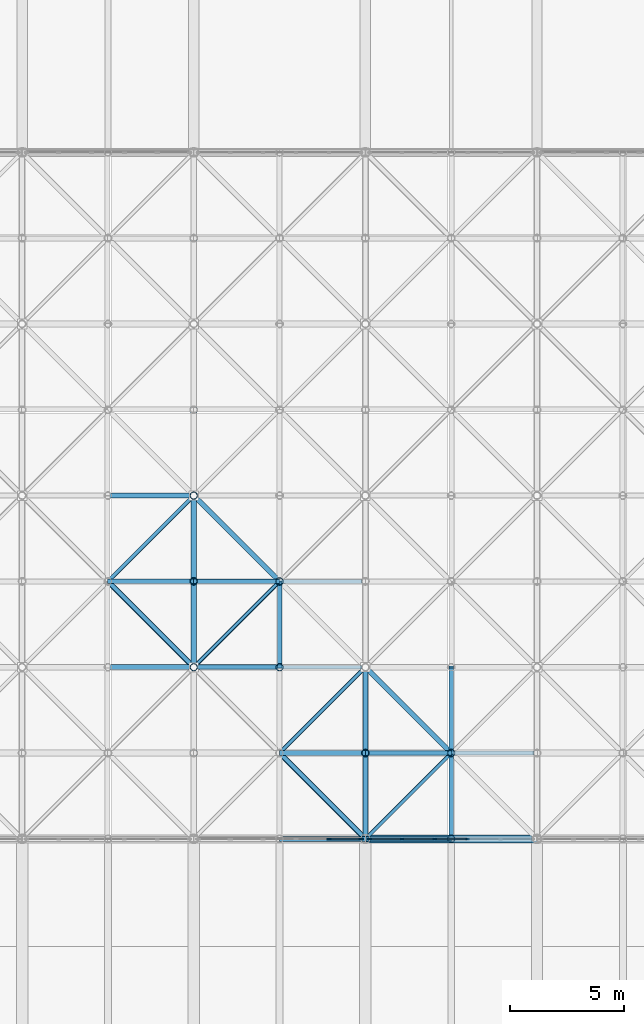
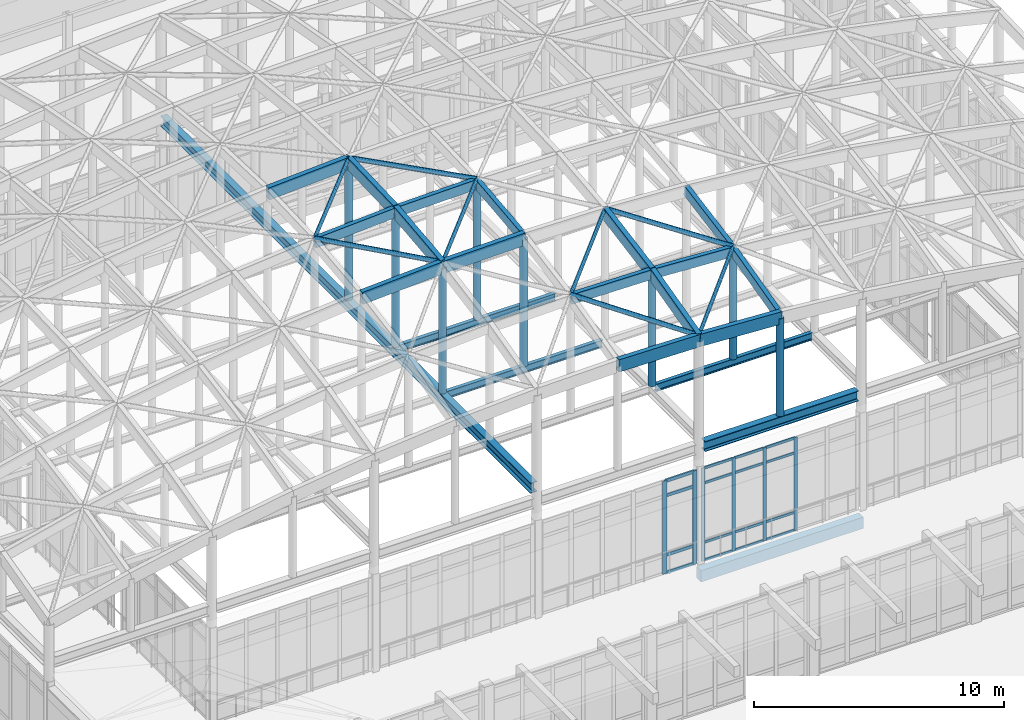
# One storey, part 35 of 131: 54 members, 6 beams, 2 elements without a shape of their own.
"""IFC4 building model written with IfcOpenShell, lengths in metres."""

from ifc_helpers import new_model, si_unit, direction, frame, origin, origin_2d, place, context, subcontext, project, spatial, rectangle, hollow_circle, i_section, extrude, material, layer, layer_set, material_profile, profile_set, type_object, element, aggregate, save


model = new_model("IFC4")

# Units and contexts
model_context = context("Model", 3, precision=1e-05, world=origin(), true_north=direction((0.0, 1.0)))
body_context = subcontext(model_context, "Body", "Model", "MODEL_VIEW")
ifc_project = project(units=[si_unit("LENGTHUNIT", "METRE"), si_unit("AREAUNIT", "SQUARE_METRE"), si_unit("VOLUMEUNIT", "CUBIC_METRE"), si_unit("PLANEANGLEUNIT", "RADIAN"), si_unit("MASSUNIT", "GRAM", prefix="KILO")], contexts=[model_context])

# Site, building, storey
site_placement = place(None, origin())
site = spatial("IfcSite", under=ifc_project, at=site_placement, CompositionType="ELEMENT")
building_placement = place(site_placement, origin())
building = spatial("IfcBuilding", under=site, at=building_placement, Name="Dalvernix Boulevard General Hospital", CompositionType="ELEMENT")
storey_placement = place(building_placement, frame((0.0, 0.0, 9.300048828125)))
storey = spatial("IfcBuildingStorey", under=building, at=storey_placement, Name="L02", CompositionType="ELEMENT", Elevation=9.300048828125)

# Beams
ifc_material_1 = material(Name="Steel S355", Category="steel")
ifc_material_profile_1 = material_profile(ifc_material_1, i_section(OverallWidth=0.300048828125, OverallDepth=0.5, WebThickness=0.014404296875, FlangeThickness=0.028076171875, FilletRadius=0.027099609375, at=origin_2d()), Name="HEB 500")
ifc_profile_set_1 = profile_set([ifc_material_profile_1], Name="Steel S355")
beam_type_1 = type_object("IfcBeamType", Name="BM-RB-02", PredefinedType="BEAM", material=ifc_profile_set_1)
beam_1_placement = place(storey_placement, frame((90.2099609375, 31.5, 5.64990234375), z_axis=(1.0, 0.0, 0.0), x_axis=(0.0, 1.0, 0.0)))
element("IfcBeam", 1, at=beam_1_placement, inside=storey, type_object=beam_type_1, Name="Gridshell Ring Beam S bay 5", PredefinedType="BEAM", context=body_context, shape_type="SweptSolid", body=[
    extrude(i_section(OverallWidth=0.300048828125, OverallDepth=0.5, WebThickness=0.014404296875, FlangeThickness=0.028076171875, FilletRadius=0.027099609375, at=origin_2d()), origin(), (0.0, 0.0, 1.0), 7.080078125),
])
beam_2_placement = place(storey_placement, frame((82.5, 31.7099609375, 6.14990234375), z_axis=(0.0, 1.0, 0.0), x_axis=(-1.0, 0.0, 0.0)))
element("IfcBeam", 2, at=beam_2_placement, inside=storey, type_object=beam_type_1, Name="ROOF TRUSS Gridshell tie beam 6", PredefinedType="BEAM", context=body_context, shape_type="SweptSolid", body=[
    extrude(i_section(OverallWidth=0.300048828125, OverallDepth=0.5, WebThickness=0.014404296875, FlangeThickness=0.028076171875, FilletRadius=0.027099609375, at=origin_2d()), origin(), (0.0, 0.0, 1.0), 29.580078125),
])
ifc_material_profile_2 = material_profile(ifc_material_1, i_section(OverallWidth=0.169921875, OverallDepth=0.360107421875, WebThickness=0.008056640625, FlangeThickness=0.0126953125, FilletRadius=0.01806640625, at=origin_2d()), Name="IPE 360")
ifc_profile_set_2 = profile_set([ifc_material_profile_2], Name="Steel S355")
beam_type_2 = type_object("IfcBeamType", Name="BM-RB-08", PredefinedType="BEAM", material=ifc_profile_set_2)
for number, where, z_axis, x_axis, name in (
    (3, (90.14208984375, 35.25, 6.219970703125), (1.0, 0.0, 0.0), (0.0, 1.0, 0.0), "ROOF TRUSS Gridshell cross tie 8-1"),
    (4, (82.64208984375, 39.0, 6.219970703125), (1.0, 0.0, 0.0), (0.0, 1.0, 0.0), "ROOF TRUSS Gridshell cross tie 6-2"),
    (5, (82.64208984375, 42.75, 6.219970703125), (1.0, 0.0, 0.0), (0.0, 1.0, 0.0), "ROOF TRUSS Gridshell cross tie 6-3"),
):
    element("IfcBeam", number, at=place(storey_placement, frame(where, z_axis=z_axis, x_axis=x_axis)), inside=storey, type_object=beam_type_2, Name=name, PredefinedType="BEAM", context=body_context, shape_type="SweptSolid", body=[
        extrude(i_section(OverallWidth=0.169921875, OverallDepth=0.360107421875, WebThickness=0.008056640625, FlangeThickness=0.0126953125, FilletRadius=0.01806640625, at=origin_2d()), origin(), (0.0, 0.0, 1.0), 7.2158203125),
    ])
ifc_material_2 = material(Name="Concrete C35/45", Category="concrete")
ifc_material_profile_3 = material_profile(ifc_material_2, rectangle(XDim=0.35009765625, YDim=0.550048828125, at=origin_2d()), Name="RCB 350x550")
ifc_profile_set_3 = profile_set([ifc_material_profile_3], Name="Concrete C35/45")
beam_type_3 = type_object("IfcBeamType", Name="BM-SB-01-E", PredefinedType="SPANDREL", material=ifc_profile_set_3)
beam_3_placement = place(storey_placement, frame((90.0, 31.5, -0.594970703125), z_axis=(1.0, 0.0, 0.0), x_axis=(0.0, 1.0, 0.0)))
element("IfcBeam", 6, at=beam_3_placement, inside=storey, type_object=beam_type_3, Name="L02 E-W girder E:13-14", PredefinedType="SPANDREL", context=body_context, shape_type="SweptSolid", body=[
    extrude(rectangle(XDim=0.35009765625, YDim=0.550048828125, at=origin_2d()), origin(), (0.0, 0.0, 1.0), 7.5),
])

# Curtain wall, members
ifc_material_3 = material(Name="Thermally broken aluminium and solar-control glass curtain wall", Category="aluminium")
ifc_layer_1 = layer(ifc_material_3, 0.159912109375)
ifc_layer_set_1 = layer_set([ifc_layer_1], Name="Thermally broken aluminium and solar-control glass curtain wall (CW-CW-A-72x46)")
curtain_wall_type_1 = type_object("IfcCurtainWallType", Name="CW-CW-A-72x46", PredefinedType="USERDEFINED", material=ifc_layer_set_1)
curtain_wall_1_placement = place(storey_placement, origin())
curtain_wall_1 = element("IfcCurtainWall", 7, at=curtain_wall_1_placement, inside=storey, type_object=curtain_wall_type_1, Name="L02 curtain wall CW-A-72x46 12-4", ObjectType="GLAZED FACADE", PredefinedType="USERDEFINED")
ifc_material_4 = material(Name="Aluminium EN AW-6060", Category="aluminium")
ifc_material_profile_4 = material_profile(ifc_material_4, rectangle(XDim=0.06005859375, YDim=0.159912109375, at=origin_2d()), Name="ALU MULL 60x160")
ifc_profile_set_4 = profile_set([ifc_material_profile_4], Name="Aluminium EN AW-6060")
member_type_1 = type_object("IfcMemberType", Name="MEM-CW-M1", PredefinedType="MULLION", material=ifc_profile_set_4)
member_1_placement = place(storey_placement, frame((90.18994140625, 31.5, 0.0), z_axis=(0.0, 0.0, 1.0), x_axis=(0.0, 1.0, 0.0)))
member_1 = element("IfcMember", 8, at=member_1_placement, type_object=member_type_1, Name="CW-A-72x46 mullion 1", PredefinedType="MULLION", context=body_context, shape_type="SweptSolid", body=[
    extrude(rectangle(XDim=0.06005859375, YDim=0.159912109375, at=origin_2d()), origin(), (0.0, 0.0, 1.0), 4.550048828125),
])
member_2_placement = place(storey_placement, frame((91.595947265625, 31.5, 0.0), z_axis=(0.0, 0.0, 1.0), x_axis=(0.0, 1.0, 0.0)))
member_2 = element("IfcMember", 9, at=member_2_placement, type_object=member_type_1, Name="CW-A-72x46 mullion 2", PredefinedType="MULLION", context=body_context, shape_type="SweptSolid", body=[
    extrude(rectangle(XDim=0.06005859375, YDim=0.159912109375, at=origin_2d()), origin(), (0.0, 0.0, 1.0), 4.550048828125),
])
member_3_placement = place(storey_placement, frame((93.031982421875, 31.5, 0.0), z_axis=(0.0, 0.0, 1.0), x_axis=(0.0, 1.0, 0.0)))
member_3 = element("IfcMember", 10, at=member_3_placement, type_object=member_type_1, Name="CW-A-72x46 mullion 3", PredefinedType="MULLION", context=body_context, shape_type="SweptSolid", body=[
    extrude(rectangle(XDim=0.06005859375, YDim=0.159912109375, at=origin_2d()), origin(), (0.0, 0.0, 1.0), 4.550048828125),
])
member_4_placement = place(storey_placement, frame((94.468017578125, 31.5, 0.0), z_axis=(0.0, 0.0, 1.0), x_axis=(0.0, 1.0, 0.0)))
member_4 = element("IfcMember", 11, at=member_4_placement, type_object=member_type_1, Name="CW-A-72x46 mullion 4", PredefinedType="MULLION", context=body_context, shape_type="SweptSolid", body=[
    extrude(rectangle(XDim=0.06005859375, YDim=0.159912109375, at=origin_2d()), origin(), (0.0, 0.0, 1.0), 4.550048828125),
])

ifc_layer_2 = layer(ifc_material_3, 0.199951171875)
ifc_layer_set_2 = layer_set([ifc_layer_2], Name="Thermally broken aluminium and solar-control glass curtain wall (CW-CW-C-72x46)")
curtain_wall_type_2 = type_object("IfcCurtainWallType", Name="CW-CW-C-72x46", PredefinedType="USERDEFINED", material=ifc_layer_set_2)
curtain_wall_2_placement = place(storey_placement, origin())
curtain_wall_2 = element("IfcCurtainWall", 12, at=curtain_wall_2_placement, inside=storey, type_object=curtain_wall_type_2, Name="L02 curtain wall CW-C-72x46 11-4", ObjectType="GLAZED FACADE", PredefinedType="USERDEFINED")
ifc_material_profile_5 = material_profile(ifc_material_4, rectangle(XDim=0.070068359375, YDim=0.199951171875, at=origin_2d()), Name="ALU MULL 70x200")
ifc_profile_set_5 = profile_set([ifc_material_profile_5], Name="Aluminium EN AW-6060")
member_type_2 = type_object("IfcMemberType", Name="MEM-CW-M3", PredefinedType="MULLION", material=ifc_profile_set_5)
member_5_placement = place(storey_placement, frame((88.404052734375, 31.5, 0.0), z_axis=(0.0, 0.0, 1.0), x_axis=(0.0, 1.0, 0.0)))
member_5 = element("IfcMember", 13, at=member_5_placement, type_object=member_type_2, Name="CW-C-72x46 mullion 5", PredefinedType="MULLION", context=body_context, shape_type="SweptSolid", body=[
    extrude(rectangle(XDim=0.070068359375, YDim=0.199951171875, at=origin_2d()), origin(), (0.0, 0.0, 1.0), 4.550048828125),
])
member_6_placement = place(storey_placement, frame((89.804931640625, 31.5, 0.0), z_axis=(0.0, 0.0, 1.0), x_axis=(0.0, 1.0, 0.0)))
member_6 = element("IfcMember", 14, at=member_6_placement, type_object=member_type_2, Name="CW-C-72x46 mullion 6", PredefinedType="MULLION", context=body_context, shape_type="SweptSolid", body=[
    extrude(rectangle(XDim=0.070068359375, YDim=0.199951171875, at=origin_2d()), origin(), (0.0, 0.0, 1.0), 4.550048828125),
])

# Member
ifc_material_profile_6 = material_profile(ifc_material_4, rectangle(XDim=0.06005859375, YDim=0.1201171875, at=origin_2d()), Name="ALU TRAN 60x120")
ifc_profile_set_6 = profile_set([ifc_material_profile_6], Name="Aluminium EN AW-6060")
member_type_3 = type_object("IfcMemberType", Name="MEM-CW-T1", PredefinedType="USERDEFINED", material=ifc_profile_set_6)
member_7_placement = place(storey_placement, frame((90.219970703125, 31.5, 0.030029296875), z_axis=(1.0, 0.0, 0.0), x_axis=(0.0, 1.0, 0.0)))
member_7 = element("IfcMember", 15, at=member_7_placement, type_object=member_type_3, Name="CW-A-72x46 transom 1.1", ObjectType="TRANSOM", PredefinedType="USERDEFINED", context=body_context, shape_type="SweptSolid", body=[
    extrude(rectangle(XDim=0.06005859375, YDim=0.1201171875, at=origin_2d()), origin(), (0.0, 0.0, 1.0), 1.345947265625),
])

member_8_placement = place(storey_placement, frame((90.219970703125, 31.5, 0.89990234375), z_axis=(1.0, 0.0, 0.0), x_axis=(0.0, 1.0, 0.0)))
member_8 = element("IfcMember", 16, at=member_8_placement, type_object=member_type_3, Name="CW-A-72x46 transom 1.2", ObjectType="TRANSOM", PredefinedType="USERDEFINED", context=body_context, shape_type="SweptSolid", body=[
    extrude(rectangle(XDim=0.06005859375, YDim=0.1201171875, at=origin_2d()), origin(), (0.0, 0.0, 1.0), 1.345947265625),
])

member_9_placement = place(storey_placement, frame((90.219970703125, 31.5, 3.800048828125), z_axis=(1.0, 0.0, 0.0), x_axis=(0.0, 1.0, 0.0)))
member_9 = element("IfcMember", 17, at=member_9_placement, type_object=member_type_3, Name="CW-A-72x46 transom 1.3", ObjectType="TRANSOM", PredefinedType="USERDEFINED", context=body_context, shape_type="SweptSolid", body=[
    extrude(rectangle(XDim=0.06005859375, YDim=0.1201171875, at=origin_2d()), origin(), (0.0, 0.0, 1.0), 1.345947265625),
])

member_10_placement = place(storey_placement, frame((90.219970703125, 31.5, 4.52001953125), z_axis=(1.0, 0.0, 0.0), x_axis=(0.0, 1.0, 0.0)))
member_10 = element("IfcMember", 18, at=member_10_placement, type_object=member_type_3, Name="CW-A-72x46 transom 1.4", ObjectType="TRANSOM", PredefinedType="USERDEFINED", context=body_context, shape_type="SweptSolid", body=[
    extrude(rectangle(XDim=0.06005859375, YDim=0.1201171875, at=origin_2d()), origin(), (0.0, 0.0, 1.0), 1.345947265625),
])

member_11_placement = place(storey_placement, frame((91.6259765625, 31.5, 0.030029296875), z_axis=(1.0, 0.0, 0.0), x_axis=(0.0, 1.0, 0.0)))
member_11 = element("IfcMember", 19, at=member_11_placement, type_object=member_type_3, Name="CW-A-72x46 transom 2.1", ObjectType="TRANSOM", PredefinedType="USERDEFINED", context=body_context, shape_type="SweptSolid", body=[
    extrude(rectangle(XDim=0.06005859375, YDim=0.1201171875, at=origin_2d()), origin(), (0.0, 0.0, 1.0), 1.3759765625),
])

member_12_placement = place(storey_placement, frame((91.6259765625, 31.5, 0.89990234375), z_axis=(1.0, 0.0, 0.0), x_axis=(0.0, 1.0, 0.0)))
member_12 = element("IfcMember", 20, at=member_12_placement, type_object=member_type_3, Name="CW-A-72x46 transom 2.2", ObjectType="TRANSOM", PredefinedType="USERDEFINED", context=body_context, shape_type="SweptSolid", body=[
    extrude(rectangle(XDim=0.06005859375, YDim=0.1201171875, at=origin_2d()), origin(), (0.0, 0.0, 1.0), 1.3759765625),
])

member_13_placement = place(storey_placement, frame((91.6259765625, 31.5, 3.800048828125), z_axis=(1.0, 0.0, 0.0), x_axis=(0.0, 1.0, 0.0)))
member_13 = element("IfcMember", 21, at=member_13_placement, type_object=member_type_3, Name="CW-A-72x46 transom 2.3", ObjectType="TRANSOM", PredefinedType="USERDEFINED", context=body_context, shape_type="SweptSolid", body=[
    extrude(rectangle(XDim=0.06005859375, YDim=0.1201171875, at=origin_2d()), origin(), (0.0, 0.0, 1.0), 1.3759765625),
])

member_14_placement = place(storey_placement, frame((91.6259765625, 31.5, 4.52001953125), z_axis=(1.0, 0.0, 0.0), x_axis=(0.0, 1.0, 0.0)))
member_14 = element("IfcMember", 22, at=member_14_placement, type_object=member_type_3, Name="CW-A-72x46 transom 2.4", ObjectType="TRANSOM", PredefinedType="USERDEFINED", context=body_context, shape_type="SweptSolid", body=[
    extrude(rectangle(XDim=0.06005859375, YDim=0.1201171875, at=origin_2d()), origin(), (0.0, 0.0, 1.0), 1.3759765625),
])

member_15_placement = place(storey_placement, frame((93.06201171875, 31.5, 0.030029296875), z_axis=(1.0, 0.0, 0.0), x_axis=(0.0, 1.0, 0.0)))
member_15 = element("IfcMember", 23, at=member_15_placement, type_object=member_type_3, Name="CW-A-72x46 transom 3.1", ObjectType="TRANSOM", PredefinedType="USERDEFINED", context=body_context, shape_type="SweptSolid", body=[
    extrude(rectangle(XDim=0.06005859375, YDim=0.1201171875, at=origin_2d()), origin(), (0.0, 0.0, 1.0), 1.3759765625),
])

member_16_placement = place(storey_placement, frame((93.06201171875, 31.5, 0.89990234375), z_axis=(1.0, 0.0, 0.0), x_axis=(0.0, 1.0, 0.0)))
member_16 = element("IfcMember", 24, at=member_16_placement, type_object=member_type_3, Name="CW-A-72x46 transom 3.2", ObjectType="TRANSOM", PredefinedType="USERDEFINED", context=body_context, shape_type="SweptSolid", body=[
    extrude(rectangle(XDim=0.06005859375, YDim=0.1201171875, at=origin_2d()), origin(), (0.0, 0.0, 1.0), 1.3759765625),
])

member_17_placement = place(storey_placement, frame((93.06201171875, 31.5, 3.800048828125), z_axis=(1.0, 0.0, 0.0), x_axis=(0.0, 1.0, 0.0)))
member_17 = element("IfcMember", 25, at=member_17_placement, type_object=member_type_3, Name="CW-A-72x46 transom 3.3", ObjectType="TRANSOM", PredefinedType="USERDEFINED", context=body_context, shape_type="SweptSolid", body=[
    extrude(rectangle(XDim=0.06005859375, YDim=0.1201171875, at=origin_2d()), origin(), (0.0, 0.0, 1.0), 1.3759765625),
])

member_18_placement = place(storey_placement, frame((93.06201171875, 31.5, 4.52001953125), z_axis=(1.0, 0.0, 0.0), x_axis=(0.0, 1.0, 0.0)))
member_18 = element("IfcMember", 26, at=member_18_placement, type_object=member_type_3, Name="CW-A-72x46 transom 3.4", ObjectType="TRANSOM", PredefinedType="USERDEFINED", context=body_context, shape_type="SweptSolid", body=[
    extrude(rectangle(XDim=0.06005859375, YDim=0.1201171875, at=origin_2d()), origin(), (0.0, 0.0, 1.0), 1.3759765625),
])

aggregate(curtain_wall_1, [member_1, member_2, member_3, member_4, member_7, member_8, member_9, member_10, member_11, member_12, member_13, member_14, member_15, member_16, member_17, member_18])

ifc_material_profile_7 = material_profile(ifc_material_4, rectangle(XDim=0.070068359375, YDim=0.14990234375, at=origin_2d()), Name="ALU TRAN 70x150")
ifc_profile_set_7 = profile_set([ifc_material_profile_7], Name="Aluminium EN AW-6060")
member_type_4 = type_object("IfcMemberType", Name="MEM-CW-T3", PredefinedType="USERDEFINED", material=ifc_profile_set_7)
member_19_placement = place(storey_placement, frame((88.43896484375, 31.5, 0.034912109375), z_axis=(1.0, 0.0, 0.0), x_axis=(0.0, 1.0, 0.0)))
member_19 = element("IfcMember", 27, at=member_19_placement, type_object=member_type_4, Name="CW-C-72x46 transom 5.1", ObjectType="TRANSOM", PredefinedType="USERDEFINED", context=body_context, shape_type="SweptSolid", body=[
    extrude(rectangle(XDim=0.070068359375, YDim=0.14990234375, at=origin_2d()), origin(), (0.0, 0.0, 1.0), 1.3310546875),
])

member_20_placement = place(storey_placement, frame((88.43896484375, 31.5, 0.89990234375), z_axis=(1.0, 0.0, 0.0), x_axis=(0.0, 1.0, 0.0)))
member_20 = element("IfcMember", 28, at=member_20_placement, type_object=member_type_4, Name="CW-C-72x46 transom 5.2", ObjectType="TRANSOM", PredefinedType="USERDEFINED", context=body_context, shape_type="SweptSolid", body=[
    extrude(rectangle(XDim=0.070068359375, YDim=0.14990234375, at=origin_2d()), origin(), (0.0, 0.0, 1.0), 1.3310546875),
])

member_21_placement = place(storey_placement, frame((88.43896484375, 31.5, 3.800048828125), z_axis=(1.0, 0.0, 0.0), x_axis=(0.0, 1.0, 0.0)))
member_21 = element("IfcMember", 29, at=member_21_placement, type_object=member_type_4, Name="CW-C-72x46 transom 5.3", ObjectType="TRANSOM", PredefinedType="USERDEFINED", context=body_context, shape_type="SweptSolid", body=[
    extrude(rectangle(XDim=0.070068359375, YDim=0.14990234375, at=origin_2d()), origin(), (0.0, 0.0, 1.0), 1.3310546875),
])

member_22_placement = place(storey_placement, frame((88.43896484375, 31.5, 4.514892578125), z_axis=(1.0, 0.0, 0.0), x_axis=(0.0, 1.0, 0.0)))
member_22 = element("IfcMember", 30, at=member_22_placement, type_object=member_type_4, Name="CW-C-72x46 transom 5.4", ObjectType="TRANSOM", PredefinedType="USERDEFINED", context=body_context, shape_type="SweptSolid", body=[
    extrude(rectangle(XDim=0.070068359375, YDim=0.14990234375, at=origin_2d()), origin(), (0.0, 0.0, 1.0), 1.3310546875),
])

aggregate(curtain_wall_2, [member_5, member_6, member_19, member_20, member_21, member_22])

# Members
ifc_material_5 = material(Name="Glulam GL28h", Category="wood")
ifc_material_profile_8 = material_profile(ifc_material_5, rectangle(XDim=0.219970703125, YDim=0.60009765625, at=origin_2d()), Name="GL28h 220x600")
ifc_profile_set_8 = profile_set([ifc_material_profile_8], Name="Glulam GL28h")
member_type_5 = type_object("IfcMemberType", Name="MEM-GS-C1", PredefinedType="CHORD", material=ifc_profile_set_8)
member_23_placement = place(storey_placement, frame((86.25, 31.5, 10.949951171875), z_axis=(0.999829111468, 0.0, -0.018486423676), x_axis=(0.0, 1.0, 0.0)))
element("IfcMember", 31, at=member_23_placement, inside=storey, type_object=member_type_5, Name="ROOF TRUSS Gridshell E-W glulam rib 8-1", PredefinedType="CHORD", context=body_context, shape_type="SweptSolid", body=[
    extrude(rectangle(XDim=0.219970703125, YDim=0.60009765625, at=origin_2d()), origin(), (0.0, 0.0, 1.0), 3.750732421875),
])
for number, where, z_axis, x_axis, name in (
    (32, (90.0, 31.5, 10.880615234375), (0.998461553046, 0.0, -0.055448418278), (0.0, 1.0, 0.0), "ROOF TRUSS Gridshell E-W glulam rib 9-1"),
    (33, (78.75, 39.0, 12.322265625), (0.998461553046, 0.0, 0.055448418278), (0.0, 1.0, 0.0), "ROOF TRUSS Gridshell E-W glulam rib 6-3"),
):
    element("IfcMember", number, at=place(storey_placement, frame(where, z_axis=z_axis, x_axis=x_axis)), inside=storey, type_object=member_type_5, Name=name, PredefinedType="CHORD", context=body_context, shape_type="SweptSolid", body=[
        extrude(rectangle(XDim=0.219970703125, YDim=0.60009765625, at=origin_2d()), origin(), (0.0, 0.0, 1.0), 3.755859375),
    ])
member_24_placement = place(storey_placement, frame((82.5, 39.0, 12.530517578125), z_axis=(0.999829111468, 0.0, 0.018486423676), x_axis=(0.0, 1.0, 0.0)))
element("IfcMember", 34, at=member_24_placement, inside=storey, type_object=member_type_5, Name="ROOF TRUSS Gridshell E-W glulam rib 7-3", PredefinedType="CHORD", context=body_context, shape_type="SweptSolid", body=[
    extrude(rectangle(XDim=0.219970703125, YDim=0.60009765625, at=origin_2d()), origin(), (0.0, 0.0, 1.0), 3.750732421875),
])
member_25_placement = place(storey_placement, frame((78.75, 46.5, 12.872314453125), z_axis=(0.998461553046, 0.0, 0.055448418278), x_axis=(0.0, 1.0, 0.0)))
element("IfcMember", 35, at=member_25_placement, inside=storey, type_object=member_type_5, Name="ROOF TRUSS Gridshell E-W glulam rib 6-5", PredefinedType="CHORD", context=body_context, shape_type="SweptSolid", body=[
    extrude(rectangle(XDim=0.219970703125, YDim=0.60009765625, at=origin_2d()), origin(), (0.0, 0.0, 1.0), 3.755859375),
])
member_26_placement = place(storey_placement, frame((82.5, 39.0, 12.530517578125), z_axis=(0.0, 0.994001542248, 0.109366055104), x_axis=(-1.0, 0.0, 0.0)))
element("IfcMember", 36, at=member_26_placement, inside=storey, type_object=member_type_5, Name="ROOF TRUSS Gridshell N-S glulam rib 7-3", PredefinedType="CHORD", context=body_context, shape_type="SweptSolid", body=[
    extrude(rectangle(XDim=0.219970703125, YDim=0.60009765625, at=origin_2d()), origin(), (0.0, 0.0, 1.0), 3.772705078125),
])
member_27_placement = place(storey_placement, frame((82.5, 42.75, 12.943115234375), z_axis=(0.0, 0.999328931228, 0.036629048716), x_axis=(-1.0, 0.0, 0.0)))
element("IfcMember", 37, at=member_27_placement, inside=storey, type_object=member_type_5, Name="ROOF TRUSS Gridshell N-S glulam rib 7-4", PredefinedType="CHORD", context=body_context, shape_type="SweptSolid", body=[
    extrude(rectangle(XDim=0.219970703125, YDim=0.60009765625, at=origin_2d()), origin(), (0.0, 0.0, 1.0), 3.75244140625),
])
member_28_placement = place(storey_placement, frame((90.0, 31.5, 10.880615234375), z_axis=(0.0, 0.968610158303, 0.248584716408), x_axis=(-1.0, 0.0, 0.0)))
element("IfcMember", 38, at=member_28_placement, inside=storey, type_object=member_type_5, Name="ROOF TRUSS Gridshell N-S glulam rib 9-1", PredefinedType="CHORD", context=body_context, shape_type="SweptSolid", body=[
    extrude(rectangle(XDim=0.219970703125, YDim=0.60009765625, at=origin_2d()), origin(), (0.0, 0.0, 1.0), 3.87158203125),
])
member_29_placement = place(storey_placement, frame((90.0, 35.25, 11.843017578125), z_axis=(0.0, 0.983606557377, 0.180327868852), x_axis=(-1.0, 0.0, 0.0)))
element("IfcMember", 39, at=member_29_placement, inside=storey, type_object=member_type_5, Name="ROOF TRUSS Gridshell N-S glulam rib 9-2", PredefinedType="CHORD", context=body_context, shape_type="SweptSolid", body=[
    extrude(rectangle(XDim=0.219970703125, YDim=0.60009765625, at=origin_2d()), origin(), (0.0, 0.0, 1.0), 3.8125),
])
ifc_material_profile_9 = material_profile(ifc_material_5, rectangle(XDim=0.199951171875, YDim=0.47998046875, at=origin_2d()), Name="GL28h 200x480")
ifc_profile_set_9 = profile_set([ifc_material_profile_9], Name="Glulam GL28h")
member_type_6 = type_object("IfcMemberType", Name="MEM-GS-C2", PredefinedType="CHORD", material=ifc_profile_set_9)
member_30_placement = place(storey_placement, frame((86.25, 35.25, 11.912353515625), z_axis=(0.999829111468, 0.0, -0.018486423676), x_axis=(0.0, 1.0, 0.0)))
element("IfcMember", 40, at=member_30_placement, inside=storey, type_object=member_type_6, Name="ROOF TRUSS Gridshell E-W glulam rib 8-2", PredefinedType="CHORD", context=body_context, shape_type="SweptSolid", body=[
    extrude(rectangle(XDim=0.199951171875, YDim=0.47998046875, at=origin_2d()), origin(), (0.0, 0.0, 1.0), 3.750732421875),
])
for number, where, z_axis, x_axis, name in (
    (41, (90.0, 35.25, 11.843017578125), (0.998461553046, 0.0, -0.055448418278), (0.0, 1.0, 0.0), "ROOF TRUSS Gridshell E-W glulam rib 9-2"),
    (42, (78.75, 42.75, 12.73486328125), (0.998461553046, 0.0, 0.055448418278), (0.0, 1.0, 0.0), "ROOF TRUSS Gridshell E-W glulam rib 6-4"),
):
    element("IfcMember", number, at=place(storey_placement, frame(where, z_axis=z_axis, x_axis=x_axis)), inside=storey, type_object=member_type_6, Name=name, PredefinedType="CHORD", context=body_context, shape_type="SweptSolid", body=[
        extrude(rectangle(XDim=0.199951171875, YDim=0.47998046875, at=origin_2d()), origin(), (0.0, 0.0, 1.0), 3.755859375),
    ])
member_31_placement = place(storey_placement, frame((82.5, 42.75, 12.943115234375), z_axis=(0.999829111468, 0.0, 0.018486423676), x_axis=(0.0, 1.0, 0.0)))
element("IfcMember", 43, at=member_31_placement, inside=storey, type_object=member_type_6, Name="ROOF TRUSS Gridshell E-W glulam rib 7-4", PredefinedType="CHORD", context=body_context, shape_type="SweptSolid", body=[
    extrude(rectangle(XDim=0.199951171875, YDim=0.47998046875, at=origin_2d()), origin(), (0.0, 0.0, 1.0), 3.750732421875),
])
member_32_placement = place(storey_placement, frame((86.25, 39.0, 12.599853515625), z_axis=(0.0, 0.994001542248, 0.109366055104), x_axis=(-1.0, 0.0, 0.0)))
element("IfcMember", 44, at=member_32_placement, inside=storey, type_object=member_type_6, Name="ROOF TRUSS Gridshell N-S glulam rib 8-3", PredefinedType="CHORD", context=body_context, shape_type="SweptSolid", body=[
    extrude(rectangle(XDim=0.199951171875, YDim=0.47998046875, at=origin_2d()), origin(), (0.0, 0.0, 1.0), 3.772705078125),
])
member_33_placement = place(storey_placement, frame((93.75, 31.5, 10.67236328125), z_axis=(0.0, 0.968610158303, 0.248584716408), x_axis=(-1.0, 0.0, 0.0)))
element("IfcMember", 45, at=member_33_placement, inside=storey, type_object=member_type_6, Name="ROOF TRUSS Gridshell N-S glulam rib 10-1", PredefinedType="CHORD", context=body_context, shape_type="SweptSolid", body=[
    extrude(rectangle(XDim=0.199951171875, YDim=0.47998046875, at=origin_2d()), origin(), (0.0, 0.0, 1.0), 3.87158203125),
])
member_34_placement = place(storey_placement, frame((93.75, 35.25, 11.634765625), z_axis=(0.0, 0.983606557377, 0.180327868852), x_axis=(-1.0, 0.0, 0.0)))
element("IfcMember", 46, at=member_34_placement, inside=storey, type_object=member_type_6, Name="ROOF TRUSS Gridshell N-S glulam rib 10-2", PredefinedType="CHORD", context=body_context, shape_type="SweptSolid", body=[
    extrude(rectangle(XDim=0.199951171875, YDim=0.47998046875, at=origin_2d()), origin(), (0.0, 0.0, 1.0), 3.8125),
])
ifc_material_profile_10 = material_profile(ifc_material_1, hollow_circle(Radius=0.161865234375, WallThickness=0.012451171875, at=origin_2d()), Name="CHS 323.9x12.5")
ifc_profile_set_10 = profile_set([ifc_material_profile_10], Name="Steel S355")
member_type_7 = type_object("IfcMemberType", Name="MEM-GS-C3", PredefinedType="CHORD", material=ifc_profile_set_10)
member_35_placement = place(storey_placement, frame((93.75, 31.5, 5.89990234375), z_axis=(0.0, 0.0, 1.0), x_axis=(1.0, 0.0, 0.0)))
element("IfcMember", 47, at=member_35_placement, inside=storey, type_object=member_type_7, Name="Gridshell edge mullion 9-0", PredefinedType="CHORD", context=body_context, shape_type="SweptSolid", body=[
    extrude(hollow_circle(Radius=0.161865234375, WallThickness=0.012451171875, at=origin_2d()), origin(), (0.0, 0.0, 1.0), 4.7724609375),
])
member_36_placement = place(storey_placement, frame((82.5, 39.0, 6.39990234375), z_axis=(0.0, 0.0, 1.0), x_axis=(1.0, 0.0, 0.0)))
element("IfcMember", 48, at=member_36_placement, inside=storey, type_object=member_type_7, Name="ROOF TRUSS Gridshell arch queen post 6-2", PredefinedType="CHORD", context=body_context, shape_type="SweptSolid", body=[
    extrude(hollow_circle(Radius=0.161865234375, WallThickness=0.012451171875, at=origin_2d()), origin(), (0.0, 0.0, 1.0), 6.130615234375),
])
member_37_placement = place(storey_placement, frame((82.5, 42.75, 6.39990234375), z_axis=(0.0, 0.0, 1.0), x_axis=(1.0, 0.0, 0.0)))
element("IfcMember", 49, at=member_37_placement, inside=storey, type_object=member_type_7, Name="ROOF TRUSS Gridshell arch queen post 6-3", PredefinedType="CHORD", context=body_context, shape_type="SweptSolid", body=[
    extrude(hollow_circle(Radius=0.161865234375, WallThickness=0.012451171875, at=origin_2d()), origin(), (0.0, 0.0, 1.0), 6.543212890625),
])
member_38_placement = place(storey_placement, frame((82.5, 46.5, 6.39990234375), z_axis=(0.0, 0.0, 1.0), x_axis=(1.0, 0.0, 0.0)))
element("IfcMember", 50, at=member_38_placement, inside=storey, type_object=member_type_7, Name="ROOF TRUSS Gridshell arch queen post 6-4", PredefinedType="CHORD", context=body_context, shape_type="SweptSolid", body=[
    extrude(hollow_circle(Radius=0.161865234375, WallThickness=0.012451171875, at=origin_2d()), origin(), (0.0, 0.0, 1.0), 6.6806640625),
])
member_39_placement = place(storey_placement, frame((86.25, 39.0, 6.39990234375), z_axis=(0.0, 0.0, 1.0), x_axis=(1.0, 0.0, 0.0)))
element("IfcMember", 51, at=member_39_placement, inside=storey, type_object=member_type_7, Name="ROOF TRUSS Gridshell arch queen post 7-2", PredefinedType="CHORD", context=body_context, shape_type="SweptSolid", body=[
    extrude(hollow_circle(Radius=0.161865234375, WallThickness=0.012451171875, at=origin_2d()), origin(), (0.0, 0.0, 1.0), 6.199951171875),
])
member_40_placement = place(storey_placement, frame((86.25, 42.75, 6.39990234375), z_axis=(0.0, 0.0, 1.0), x_axis=(1.0, 0.0, 0.0)))
element("IfcMember", 52, at=member_40_placement, inside=storey, type_object=member_type_7, Name="ROOF TRUSS Gridshell arch queen post 7-3", PredefinedType="CHORD", context=body_context, shape_type="SweptSolid", body=[
    extrude(hollow_circle(Radius=0.161865234375, WallThickness=0.012451171875, at=origin_2d()), origin(), (0.0, 0.0, 1.0), 6.612548828125),
])
member_41_placement = place(storey_placement, frame((90.0, 35.25, 6.39990234375), z_axis=(0.0, 0.0, 1.0), x_axis=(1.0, 0.0, 0.0)))
element("IfcMember", 53, at=member_41_placement, inside=storey, type_object=member_type_7, Name="ROOF TRUSS Gridshell arch queen post 8-1", PredefinedType="CHORD", context=body_context, shape_type="SweptSolid", body=[
    extrude(hollow_circle(Radius=0.161865234375, WallThickness=0.012451171875, at=origin_2d()), origin(), (0.0, 0.0, 1.0), 5.443115234375),
])
member_42_placement = place(storey_placement, frame((93.75, 35.25, 6.39990234375), z_axis=(0.0, 0.0, 1.0), x_axis=(1.0, 0.0, 0.0)))
element("IfcMember", 54, at=member_42_placement, inside=storey, type_object=member_type_7, Name="ROOF TRUSS Gridshell arch queen post 9-1", PredefinedType="CHORD", context=body_context, shape_type="SweptSolid", body=[
    extrude(hollow_circle(Radius=0.161865234375, WallThickness=0.012451171875, at=origin_2d()), origin(), (0.0, 0.0, 1.0), 5.23486328125),
])
ifc_material_profile_11 = material_profile(ifc_material_1, hollow_circle(Radius=0.084228515625, WallThickness=0.00634765625, at=origin_2d()), Name="CHS 168.3x6.3")
ifc_profile_set_11 = profile_set([ifc_material_profile_11], Name="Steel S355")
member_type_8 = type_object("IfcMemberType", Name="MEM-GSD-01", PredefinedType="BRACE", material=ifc_profile_set_11)
member_43_placement = place(storey_placement, frame((78.75, 42.75, 12.9248046875), z_axis=(0.705609209228, 0.705609209228, 0.065048348976), x_axis=(-0.707106781187, 0.707106781187, 0.0)))
element("IfcMember", 55, at=member_43_placement, inside=storey, type_object=member_type_8, Name="ROOF TRUSS Gridshell diagrid tube 6-4", PredefinedType="BRACE", context=body_context, shape_type="SweptSolid", body=[
    extrude(hollow_circle(Radius=0.084228515625, WallThickness=0.00634765625, at=origin_2d()), origin(), (0.0, 0.0, 1.0), 5.314453125),
])
member_44_placement = place(storey_placement, frame((82.5, 39.0, 12.720458984375), z_axis=(0.704205050131, 0.704205050131, 0.090501352146), x_axis=(-0.707106781187, 0.707106781187, 0.0)))
element("IfcMember", 56, at=member_44_placement, inside=storey, type_object=member_type_8, Name="ROOF TRUSS Gridshell diagrid tube 7-3", PredefinedType="BRACE", context=body_context, shape_type="SweptSolid", body=[
    extrude(hollow_circle(Radius=0.084228515625, WallThickness=0.00634765625, at=origin_2d()), origin(), (0.0, 0.0, 1.0), 5.3251953125),
])
member_45_placement = place(storey_placement, frame((86.25, 35.25, 12.1025390625), z_axis=(0.702355265551, 0.702355265551, 0.115733149551), x_axis=(-0.707106781187, 0.707106781187, 0.0)))
element("IfcMember", 57, at=member_45_placement, inside=storey, type_object=member_type_8, Name="ROOF TRUSS Gridshell diagrid tube 8-2", PredefinedType="BRACE", context=body_context, shape_type="SweptSolid", body=[
    extrude(hollow_circle(Radius=0.084228515625, WallThickness=0.00634765625, at=origin_2d()), origin(), (0.0, 0.0, 1.0), 5.339111328125),
])
member_46_placement = place(storey_placement, frame((90.0, 31.5, 11.070556640625), z_axis=(0.700059381411, 0.700059381411, 0.14083225837), x_axis=(-0.707106781187, 0.707106781187, 0.0)))
element("IfcMember", 58, at=member_46_placement, inside=storey, type_object=member_type_8, Name="ROOF TRUSS Gridshell diagrid tube 9-1", PredefinedType="BRACE", context=body_context, shape_type="SweptSolid", body=[
    extrude(hollow_circle(Radius=0.084228515625, WallThickness=0.00634765625, at=origin_2d()), origin(), (0.0, 0.0, 1.0), 5.356689453125),
])
ifc_material_profile_12 = material_profile(ifc_material_1, hollow_circle(Radius=0.109619140625, WallThickness=0.008056640625, at=origin_2d()), Name="CHS 219.1x8.0")
ifc_profile_set_12 = profile_set([ifc_material_profile_12], Name="Steel S355")
member_type_9 = type_object("IfcMemberType", Name="MEM-GSD-02", PredefinedType="BRACE", material=ifc_profile_set_12)
member_47_placement = place(storey_placement, frame((82.5, 39.0, 12.720458984375), z_axis=(-0.706582444522, 0.706582444522, 0.038503223051), x_axis=(-0.707106781187, -0.707106781187, 0.0)))
element("IfcMember", 59, at=member_47_placement, inside=storey, type_object=member_type_9, Name="ROOF TRUSS Gridshell diagrid tube 6-3", PredefinedType="BRACE", context=body_context, shape_type="SweptSolid", body=[
    extrude(hollow_circle(Radius=0.109619140625, WallThickness=0.008056640625, at=origin_2d()), origin(), (0.0, 0.0, 1.0), 5.30712890625),
])
member_48_placement = place(storey_placement, frame((86.25, 42.75, 13.202392578125), z_axis=(-0.707048463907, 0.707048463907, 0.012842872489), x_axis=(-0.707106781187, -0.707106781187, 0.0)))
element("IfcMember", 60, at=member_48_placement, inside=storey, type_object=member_type_9, Name="ROOF TRUSS Gridshell diagrid tube 7-4", PredefinedType="BRACE", context=body_context, shape_type="SweptSolid", body=[
    extrude(hollow_circle(Radius=0.109619140625, WallThickness=0.008056640625, at=origin_2d()), origin(), (0.0, 0.0, 1.0), 5.3037109375),
])
member_49_placement = place(storey_placement, frame((90.0, 31.5, 11.070556640625), z_axis=(-0.694087641346, 0.694087641346, 0.191009665363), x_axis=(-0.707106781187, -0.707106781187, 0.0)))
element("IfcMember", 61, at=member_49_placement, inside=storey, type_object=member_type_9, Name="ROOF TRUSS Gridshell diagrid tube 8-1", PredefinedType="BRACE", context=body_context, shape_type="SweptSolid", body=[
    extrude(hollow_circle(Radius=0.109619140625, WallThickness=0.008056640625, at=origin_2d()), origin(), (0.0, 0.0, 1.0), 5.40283203125),
])
member_50_placement = place(storey_placement, frame((93.75, 35.25, 11.824951171875), z_axis=(-0.69723641879, 0.69723641879, 0.166501509383), x_axis=(-0.707106781187, -0.707106781187, 0.0)))
element("IfcMember", 62, at=member_50_placement, inside=storey, type_object=member_type_9, Name="ROOF TRUSS Gridshell diagrid tube 9-2", PredefinedType="BRACE", context=body_context, shape_type="SweptSolid", body=[
    extrude(hollow_circle(Radius=0.109619140625, WallThickness=0.008056640625, at=origin_2d()), origin(), (0.0, 0.0, 1.0), 5.37841796875),
])

save(model, "model.ifc")
